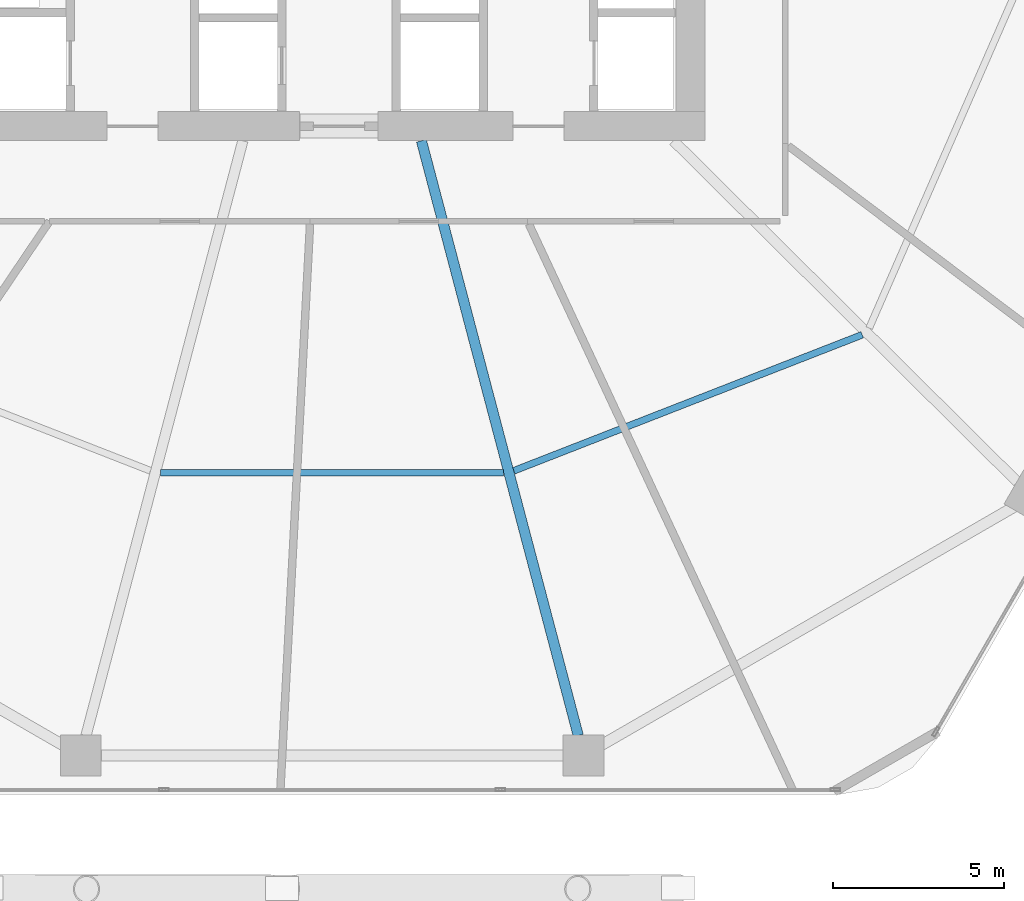
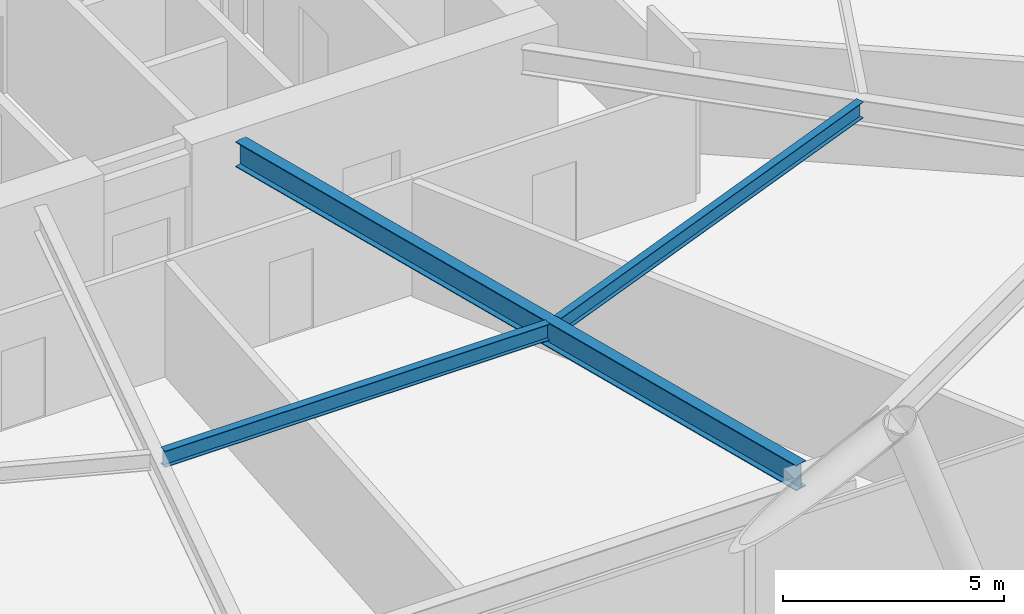
# One storey, part 8 of 29: 3 beams.
"""IFC4 building model written with IfcOpenShell, lengths in metres."""

from ifc_helpers import new_model, si_unit, direction, frame, origin, origin_2d, place, context, subcontext, project, spatial, i_section, extrude, material, material_profile, profile_set, type_object, element, save


model = new_model("IFC4")

# Units and contexts
model_context = context("Model", 3, precision=1e-05, world=origin(), true_north=direction((0.0, 1.0)))
body_context = subcontext(model_context, "Body", "Model", "MODEL_VIEW")
ifc_project = project(units=[si_unit("LENGTHUNIT", "METRE"), si_unit("AREAUNIT", "SQUARE_METRE"), si_unit("VOLUMEUNIT", "CUBIC_METRE"), si_unit("PLANEANGLEUNIT", "RADIAN"), si_unit("MASSUNIT", "GRAM", prefix="KILO")], contexts=[model_context])

# Site, building, storey
site_placement = place(None, origin())
site = spatial("IfcSite", under=ifc_project, at=site_placement, CompositionType="ELEMENT")
building_placement = place(site_placement, origin())
building = spatial("IfcBuilding", under=site, at=building_placement, Name="Zuhravey Tower", CompositionType="ELEMENT")
storey_placement = place(building_placement, frame((0.0, 0.0, 41.39990234375)))
storey = spatial("IfcBuildingStorey", under=building, at=storey_placement, Name="L10", CompositionType="ELEMENT", Elevation=41.39990234375)

# Beams
ifc_material = material(Name="Steel SM355", Category="steel")
ifc_material_profile_1 = material_profile(ifc_material, i_section(OverallWidth=0.300048828125, OverallDepth=0.699951171875, WebThickness=0.012939453125, FlangeThickness=0.02392578125, at=origin_2d()), Name="H-700x300x13x24")
ifc_profile_set_1 = profile_set([ifc_material_profile_1], Name="Steel SM355")
beam_type_1 = type_object("IfcBeamType", Name="Radial Primary Girder H700x300", PredefinedType="BEAM", material=ifc_profile_set_1)
beam_1_placement = place(storey_placement, frame((38.617919921875, 22.072021484375, 3.570068359375), z_axis=(0.254989720435, -0.966943763862, 0.0), x_axis=(0.966943763862, 0.254989720435, 0.0)))
element("IfcBeam", 1, at=beam_1_placement, inside=storey, type_object=beam_type_1, Name="L10 RG1 BM-L10-RAD-10", PredefinedType="BEAM", context=body_context, shape_type="SweptSolid", body=[
    extrude(i_section(OverallWidth=0.300048828125, OverallDepth=0.699951171875, WebThickness=0.012939453125, FlangeThickness=0.02392578125, at=origin_2d()), origin(), (0.0, 0.0, 1.0), 18.03369140625),
])
ifc_material_profile_2 = material_profile(ifc_material, i_section(OverallWidth=0.199951171875, OverallDepth=0.449951171875, WebThickness=0.009033203125, FlangeThickness=0.013916015625, at=origin_2d()), Name="H-450x200x9x14")
ifc_profile_set_2 = profile_set([ifc_material_profile_2], Name="Steel SM355")
beam_type_2 = type_object("IfcBeamType", Name="Secondary Floor Joist H450x200", PredefinedType="JOIST", material=ifc_profile_set_2)
beam_2_placement = place(storey_placement, frame((30.969970703125, 12.3408203125, 3.695068359375), z_axis=(1.0, 0.0, 0.0), x_axis=(0.0, 1.0, 0.0)))
element("IfcBeam", 2, at=beam_2_placement, inside=storey, type_object=beam_type_2, Name="L10 SJ1 BM-L10-SJ-09-1", PredefinedType="JOIST", context=body_context, shape_type="SweptSolid", body=[
    extrude(i_section(OverallWidth=0.199951171875, OverallDepth=0.449951171875, WebThickness=0.009033203125, FlangeThickness=0.013916015625, at=origin_2d()), origin(), (0.0, 0.0, 1.0), 10.06005859375),
])
beam_3_placement = place(storey_placement, frame((41.32763671875, 12.39697265625, 3.695068359375), z_axis=(0.931516535886, 0.363698973562, 0.0), x_axis=(-0.363698973562, 0.931516535886, 0.0)))
element("IfcBeam", 3, at=beam_3_placement, inside=storey, type_object=beam_type_2, Name="L10 SJ1 BM-L10-SJ-10-1", PredefinedType="JOIST", context=body_context, shape_type="SweptSolid", body=[
    extrude(i_section(OverallWidth=0.199951171875, OverallDepth=0.449951171875, WebThickness=0.009033203125, FlangeThickness=0.013916015625, at=origin_2d()), origin(), (0.0, 0.0, 1.0), 10.963134765625),
])

save(model, "model.ifc")
